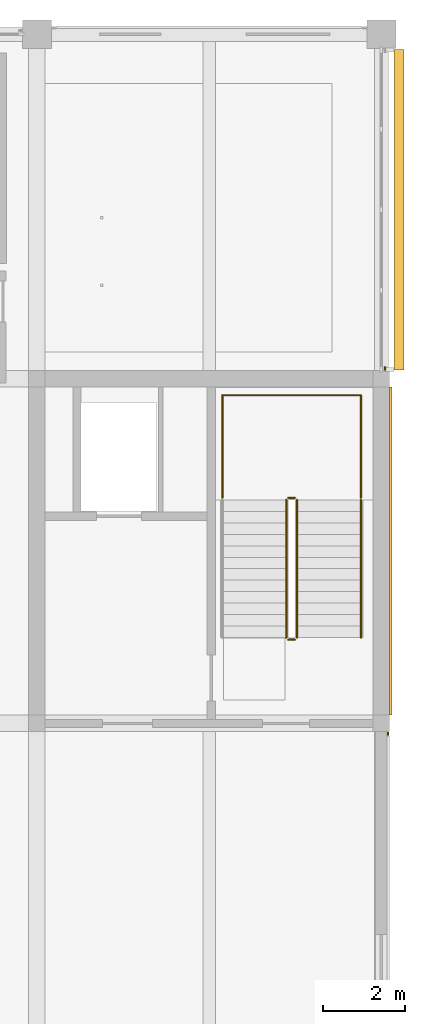
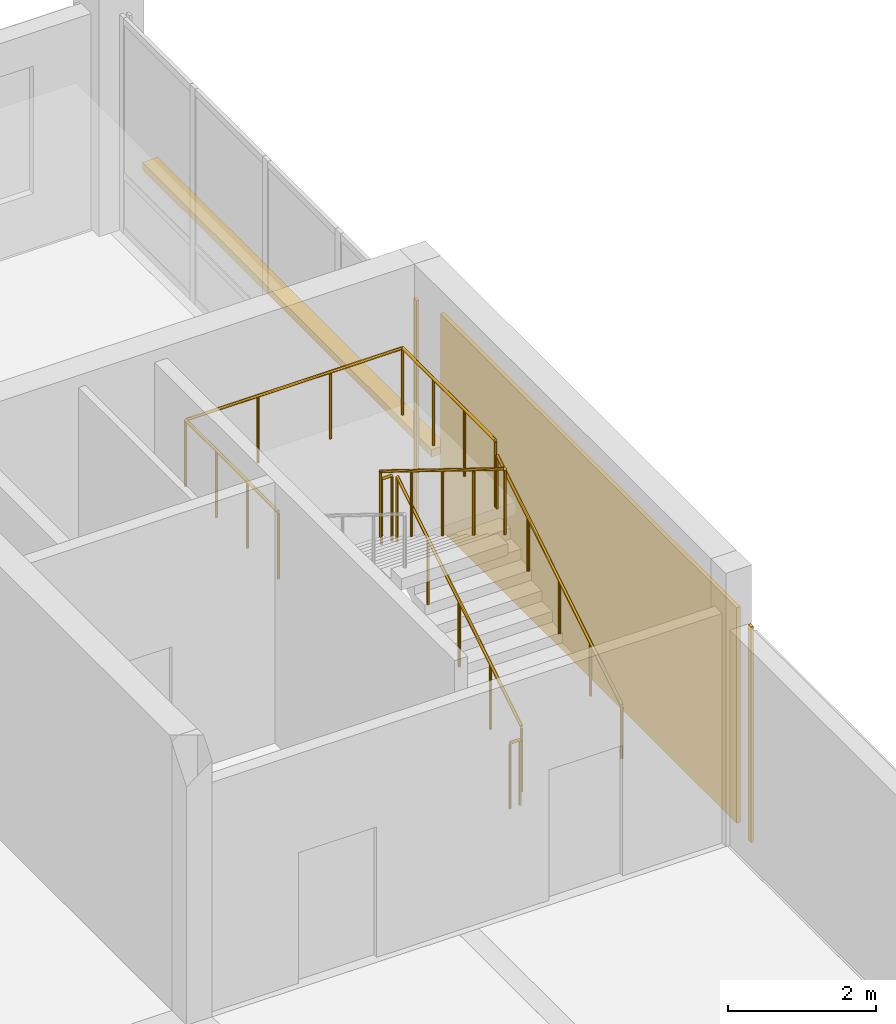
# One storey, part 29 of 32: 6 railings, 3 coverings, 1 shading device.
"""IFC4 building model written with IfcOpenShell, lengths in metres."""

from ifc_helpers import new_model, si_unit, direction, frame, origin, origin_2d, place, context, subcontext, project, spatial, rectangle, circle, extrude, material, layer, layer_set, type_object, element, save


model = new_model("IFC4")

# Units and contexts
model_context = context("Model", 3, precision=1e-05, world=origin(), true_north=direction((0.0, 1.0)))
body_context = subcontext(model_context, "Body", "Model", "MODEL_VIEW")
ifc_project = project(units=[si_unit("LENGTHUNIT", "METRE"), si_unit("AREAUNIT", "SQUARE_METRE"), si_unit("VOLUMEUNIT", "CUBIC_METRE"), si_unit("PLANEANGLEUNIT", "RADIAN"), si_unit("MASSUNIT", "GRAM", prefix="KILO")], contexts=[model_context])

# Site, building, storey
site_placement = place(None, origin())
site = spatial("IfcSite", under=ifc_project, at=site_placement, CompositionType="ELEMENT")
building_placement = place(site_placement, origin())
building = spatial("IfcBuilding", under=site, at=building_placement, Name="Telukmera Botanical Conservatory", CompositionType="ELEMENT")
storey_placement = place(building_placement, frame((0.0, 0.0, 42.0)))
storey = spatial("IfcBuildingStorey", under=building, at=storey_placement, Name="L09", CompositionType="ELEMENT", Elevation=42.0)

# Coverings
ifc_material_1 = material(Name="Granite-faced precast concrete C40/50", Category="masonry")
ifc_layer_1 = layer(ifc_material_1, 0.0400390625)
ifc_layer_set_1 = layer_set([ifc_layer_1], Name="Granite-faced precast concrete C40/50")
covering_type_1 = type_object("IfcCoveringType", Name="Granite Precast Column Pier Reveal Casing", PredefinedType="CLADDING", material=ifc_layer_set_1)
for number, where, z_axis, x_axis, name in (
    (1, (100.9599609375, 25.748046875, 0.0), (0.0, 0.0, 1.0), (0.0, 1.0, 0.0), "Granite Pier Reveal V4:L09:E2 R"),
    (2, (100.889892578125, 34.652099609375, 0.0), (0.0, 0.0, 1.0), (0.0, 1.0, 0.0), "Granite Pier Reveal V4:L09:E4 L"),
):
    element("IfcCovering", number, at=place(storey_placement, frame(where, z_axis=z_axis, x_axis=x_axis)), inside=storey, type_object=covering_type_1, Name=name, PredefinedType="CLADDING", context=body_context, shape_type="SweptSolid", body=[
        extrude(rectangle(XDim=0.080078125, YDim=0.0400390625, at=origin_2d()), origin(), (0.0, 0.0, 1.0), 3.550048828125),
    ])

# Shading device
ifc_material_2 = material(Name="Perforated terracotta-anodised aluminium 6063-T6", Category="masonry")
ifc_layer_2 = layer(ifc_material_2, 0.044921875)
ifc_layer_set_2 = layer_set([ifc_layer_2], Name="Perforated terracotta-anodised aluminium 6063-T6")
shading_device_type = type_object("IfcShadingDeviceType", Name="Perforated Terracotta Aluminium Monsoon Brise Soleil", PredefinedType="JALOUSIE", material=ifc_layer_set_2)
shading_device_placement = place(storey_placement, frame((101.22998046875, 38.52490234375, 0.889892578125), z_axis=(0.0, 0.0, 1.0), x_axis=(0.0, 1.0, 0.0)))
element("IfcShadingDevice", 3, at=shading_device_placement, inside=storey, type_object=shading_device_type, Name="Monsoon Shading BS01 V4:L09:E4", PredefinedType="JALOUSIE", context=body_context, shape_type="SweptSolid", body=[
    extrude(rectangle(XDim=7.805908203125, YDim=0.239990234375, at=origin_2d()), origin(), (0.0, 0.0, 1.0), 0.1201171875),
])

# Railings
ifc_material_3 = material(Name="Steel S355", Category="steel")
railing_type_1 = type_object("IfcRailingType", Name="RL-GUARD-1100", PredefinedType="GUARDRAIL", material=ifc_material_3)
railing_1_placement = place(storey_placement, frame((98.739990234375, 28.090087890625, 0.173095703125)))
element("IfcRailing", 4, at=railing_1_placement, inside=storey, type_object=railing_type_1, Name="L09 ST2 stair guard 1", PredefinedType="GUARDRAIL", context=body_context, shape_type="SweptSolid", body=[
    extrude(circle(Radius=0.02392578125, at=origin_2d()), frame((0.0, 0.0, 1.076171875), z_axis=(0.0, 0.850606129759, 0.525803396734), x_axis=(-1.0, 0.0, 0.0)), (0.0, 0.0, 1.0), 3.949951171875),
    extrude(circle(Radius=0.02099609375, at=origin_2d()), origin(), (0.0, 0.0, 1.0), 1.052001953125),
    extrude(circle(Radius=0.02099609375, at=origin_2d()), frame((0.0, 0.83984375, 0.519287109375)), (0.0, 0.0, 1.0), 1.052001953125),
    extrude(circle(Radius=0.02099609375, at=origin_2d()), frame((0.0, 1.679931640625, 1.03857421875)), (0.0, 0.0, 1.0), 1.052001953125),
    extrude(circle(Radius=0.02099609375, at=origin_2d()), frame((0.0, 2.52001953125, 1.5576171875)), (0.0, 0.0, 1.0), 1.052001953125),
    extrude(circle(Radius=0.02099609375, at=origin_2d()), frame((0.0, 3.35986328125, 2.076904296875)), (0.0, 0.0, 1.0), 1.052001953125),
])
railing_2_placement = place(storey_placement, frame((98.68994140625, 31.5, 2.25)))
element("IfcRailing", 5, at=railing_2_placement, inside=storey, type_object=railing_type_1, Name="L09 ST2 stair guard 2", PredefinedType="GUARDRAIL", context=body_context, shape_type="SweptSolid", body=[
    extrude(circle(Radius=0.02392578125, at=origin_2d()), frame((0.0, 0.0, 1.076171875), z_axis=(-1.0, 0.0, 0.0), x_axis=(0.0, -1.0, 0.0)), (0.0, 0.0, 1.0), 0.159912109375),
    extrude(circle(Radius=0.02099609375, at=origin_2d()), origin(), (0.0, 0.0, 1.0), 1.052001953125),
    extrude(circle(Radius=0.02099609375, at=origin_2d()), frame((-0.159912109375, 0.0, 0.0)), (0.0, 0.0, 1.0), 1.052001953125),
])
railing_3_placement = place(storey_placement, frame((98.47998046875, 31.449951171875, 2.423095703125)))
element("IfcRailing", 6, at=railing_3_placement, inside=storey, type_object=railing_type_1, Name="L09 ST2 stair guard 3", PredefinedType="GUARDRAIL", context=body_context, shape_type="SweptSolid", body=[
    extrude(circle(Radius=0.02392578125, at=origin_2d()), frame((0.0, 0.0, 1.076171875), z_axis=(0.0, -0.850606129759, 0.525803396734), x_axis=(1.0, 0.0, 0.0)), (0.0, 0.0, 1.0), 3.949951171875),
    extrude(circle(Radius=0.02099609375, at=origin_2d()), origin(), (0.0, 0.0, 1.0), 1.052001953125),
    extrude(circle(Radius=0.02099609375, at=origin_2d()), frame((0.0, -0.83984375, 0.519287109375)), (0.0, 0.0, 1.0), 1.052001953125),
    extrude(circle(Radius=0.02099609375, at=origin_2d()), frame((0.0, -1.679931640625, 1.03857421875)), (0.0, 0.0, 1.0), 1.052001953125),
    extrude(circle(Radius=0.02099609375, at=origin_2d()), frame((0.0, -2.52001953125, 1.5576171875)), (0.0, 0.0, 1.0), 1.052001953125),
    extrude(circle(Radius=0.02099609375, at=origin_2d()), frame((0.0, -3.35986328125, 2.076904296875)), (0.0, 0.0, 1.0), 1.052001953125),
])
railing_4_placement = place(storey_placement, frame((98.68994140625, 28.0400390625, 0.0)))
element("IfcRailing", 7, at=railing_4_placement, inside=storey, type_object=railing_type_1, Name="L09 ST2 stair guard 4", PredefinedType="GUARDRAIL", context=body_context, shape_type="SweptSolid", body=[
    extrude(circle(Radius=0.02392578125, at=origin_2d()), frame((0.0, 0.0, 1.076171875), z_axis=(-1.0, 0.0, 0.0), x_axis=(0.0, -1.0, 0.0)), (0.0, 0.0, 1.0), 0.159912109375),
    extrude(circle(Radius=0.02099609375, at=origin_2d()), origin(), (0.0, 0.0, 1.0), 1.052001953125),
    extrude(circle(Radius=0.02099609375, at=origin_2d()), frame((-0.159912109375, 0.0, 0.0)), (0.0, 0.0, 1.0), 1.052001953125),
])
railing_5_placement = place(storey_placement, frame((100.300048828125, 31.5, 2.25)))
element("IfcRailing", 8, at=railing_5_placement, inside=storey, type_object=railing_type_1, Name="L09 ST2 half-landing perimeter guard 1", PredefinedType="GUARDRAIL", context=body_context, shape_type="SweptSolid", body=[
    extrude(circle(Radius=0.02392578125, at=origin_2d()), frame((0.0, 0.0, 1.09619140625), z_axis=(0.0, 1.0, 0.0), x_axis=(-1.0, 0.0, 0.0)), (0.0, 0.0, 1.0), 2.5),
    extrude(circle(Radius=0.02392578125, at=origin_2d()), frame((0.0, 2.5, 1.09619140625), z_axis=(-1.0, 0.0, 0.0), x_axis=(0.0, -1.0, 0.0)), (0.0, 0.0, 1.0), 3.380126953125),
    extrude(circle(Radius=0.02392578125, at=origin_2d()), frame((-3.380126953125, 2.5, 1.09619140625), z_axis=(0.0, -1.0, 0.0), x_axis=(1.0, 0.0, 0.0)), (0.0, 0.0, 1.0), 2.5),
    extrude(circle(Radius=0.02099609375, at=origin_2d()), origin(), (0.0, 0.0, 1.0), 1.072021484375),
    extrude(circle(Radius=0.02099609375, at=origin_2d()), frame((0.0, 0.833251953125, 0.0)), (0.0, 0.0, 1.0), 1.072021484375),
    extrude(circle(Radius=0.02099609375, at=origin_2d()), frame((0.0, 1.666748046875, 0.0)), (0.0, 0.0, 1.0), 1.072021484375),
    extrude(circle(Radius=0.02099609375, at=origin_2d()), frame((0.0, 2.5, 0.0)), (0.0, 0.0, 1.0), 1.072021484375),
    extrude(circle(Radius=0.02099609375, at=origin_2d()), frame((-1.126708984375, 2.5, 0.0)), (0.0, 0.0, 1.0), 1.072021484375),
    extrude(circle(Radius=0.02099609375, at=origin_2d()), frame((-2.25341796875, 2.5, 0.0)), (0.0, 0.0, 1.0), 1.072021484375),
    extrude(circle(Radius=0.02099609375, at=origin_2d()), frame((-3.380126953125, 2.5, 0.0)), (0.0, 0.0, 1.0), 1.072021484375),
    extrude(circle(Radius=0.02099609375, at=origin_2d()), frame((-3.380126953125, 1.666748046875, 0.0)), (0.0, 0.0, 1.0), 1.072021484375),
    extrude(circle(Radius=0.02099609375, at=origin_2d()), frame((-3.380126953125, 0.833251953125, 0.0)), (0.0, 0.0, 1.0), 1.072021484375),
    extrude(circle(Radius=0.02099609375, at=origin_2d()), frame((-3.380126953125, 0.0, 0.0)), (0.0, 0.0, 1.0), 1.072021484375),
])
ifc_material_4 = material(Name="Stainless steel 316", Category="steel")
railing_type_2 = type_object("IfcRailingType", Name="RL-HAND-900", PredefinedType="HANDRAIL", material=ifc_material_4)
railing_6_placement = place(storey_placement, frame((100.300048828125, 28.090087890625, 0.173095703125)))
element("IfcRailing", 9, at=railing_6_placement, inside=storey, type_object=railing_type_2, Name="L09 ST2 stair handrail 1", PredefinedType="HANDRAIL", context=body_context, shape_type="SweptSolid", body=[
    extrude(circle(Radius=0.02392578125, at=origin_2d()), frame((0.0, 0.0, 0.8759765625), z_axis=(0.0, 0.850606129759, 0.525803396734), x_axis=(-1.0, 0.0, 0.0)), (0.0, 0.0, 1.0), 3.949951171875),
    extrude(circle(Radius=0.02099609375, at=origin_2d()), origin(), (0.0, 0.0, 1.0), 0.851806640625),
    extrude(circle(Radius=0.02099609375, at=origin_2d()), frame((0.0, 0.83984375, 0.519287109375)), (0.0, 0.0, 1.0), 0.851806640625),
    extrude(circle(Radius=0.02099609375, at=origin_2d()), frame((0.0, 1.679931640625, 1.03857421875)), (0.0, 0.0, 1.0), 0.851806640625),
    extrude(circle(Radius=0.02099609375, at=origin_2d()), frame((0.0, 2.52001953125, 1.5576171875)), (0.0, 0.0, 1.0), 0.851806640625),
    extrude(circle(Radius=0.02099609375, at=origin_2d()), frame((0.0, 3.35986328125, 2.076904296875)), (0.0, 0.0, 1.0), 0.851806640625),
])

# Covering
ifc_material_5 = material(Name="Terracotta-faced precast concrete C40/50", Category="masonry")
ifc_layer_3 = layer(ifc_material_5, 0.06005859375)
ifc_layer_set_3 = layer_set([ifc_layer_3], Name="Terracotta-faced precast concrete C40/50")
covering_type_2 = type_object("IfcCoveringType", Name="Terracotta Core Perimeter Cladding Panel", PredefinedType="CLADDING", material=ifc_layer_set_3)
covering_placement = place(storey_placement, frame((101.030029296875, 30.199951171875, 0.0), z_axis=(0.0, 0.0, 1.0), x_axis=(0.0, 1.0, 0.0)))
element("IfcCovering", 10, at=covering_placement, inside=storey, type_object=covering_type_2, Name="Core Perimeter Terracotta Cladding V4:L09:E3", PredefinedType="CLADDING", context=body_context, shape_type="SweptSolid", body=[
    extrude(rectangle(XDim=7.99609375, YDim=0.06005859375, at=origin_2d()), origin(), (0.0, 0.0, 1.0), 3.550048828125),
])

save(model, "model.ifc")
